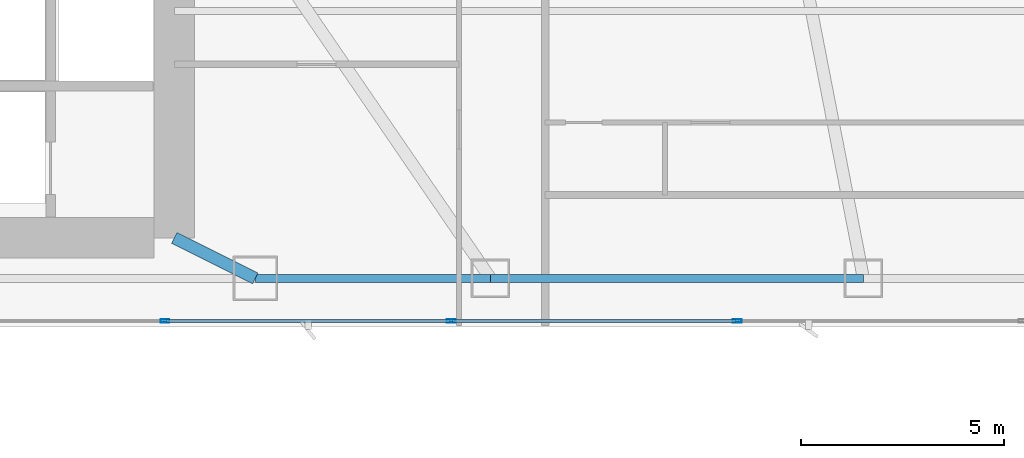
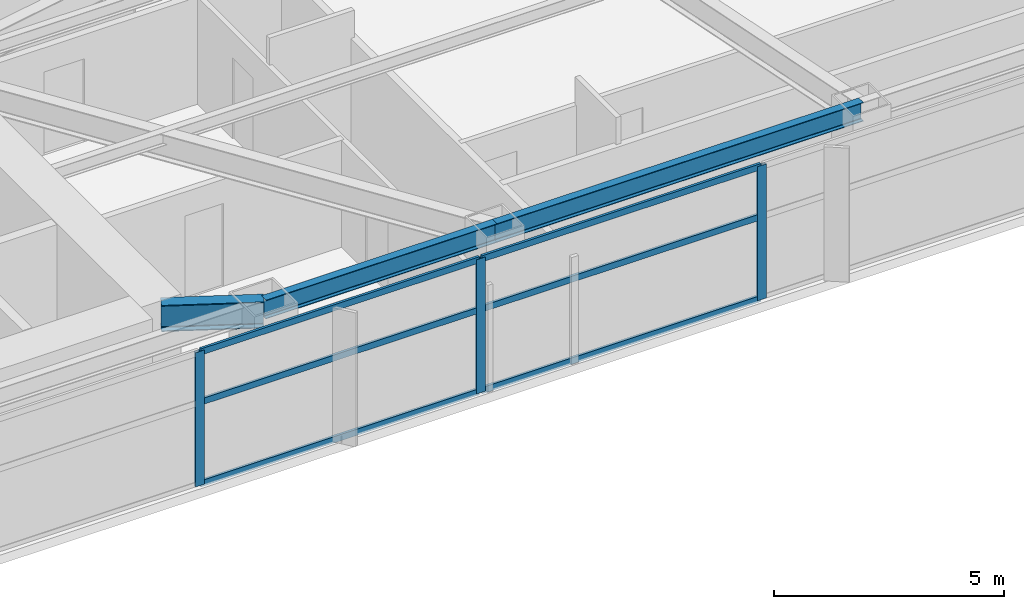
# One storey, part 12 of 29: 9 members, 3 beams, 1 element without a shape of its own.
"""IFC4 building model written with IfcOpenShell, lengths in metres."""

from ifc_helpers import new_model, si_unit, direction, frame, origin, origin_2d, place, context, subcontext, project, spatial, hollow_rectangle, i_section, extrude, material, layer, layer_set, material_profile, profile_set, type_object, element, aggregate, save


model = new_model("IFC4")

# Units and contexts
model_context = context("Model", 3, precision=1e-05, world=origin(), true_north=direction((0.0, 1.0)))
body_context = subcontext(model_context, "Body", "Model", "MODEL_VIEW")
ifc_project = project(units=[si_unit("LENGTHUNIT", "METRE"), si_unit("AREAUNIT", "SQUARE_METRE"), si_unit("VOLUMEUNIT", "CUBIC_METRE"), si_unit("PLANEANGLEUNIT", "RADIAN"), si_unit("MASSUNIT", "GRAM", prefix="KILO")], contexts=[model_context])

# Site, building, storey
site_placement = place(None, origin())
site = spatial("IfcSite", under=ifc_project, at=site_placement, CompositionType="ELEMENT")
building_placement = place(site_placement, origin())
building = spatial("IfcBuilding", under=site, at=building_placement, Name="Calvorn Quay Hotel", CompositionType="ELEMENT")
storey_placement = place(building_placement, frame((0.0, 0.0, 62.199951171875)))
storey = spatial("IfcBuildingStorey", under=building, at=storey_placement, Name="L14", CompositionType="ELEMENT", Elevation=62.199951171875)

# Beams
ifc_material_1 = material(Name="Steel Q390GJC", Category="steel")
ifc_material_profile_1 = material_profile(ifc_material_1, i_section(OverallWidth=0.300048828125, OverallDepth=0.699951171875, WebThickness=0.012939453125, FlangeThickness=0.02392578125, FilletRadius=0.02392578125, at=origin_2d()), Name="HN700x300x13x24")
ifc_profile_set_1 = profile_set([ifc_material_profile_1], Name="Steel Q390GJC")
beam_type_1 = type_object("IfcBeamType", Name="BM-GIRD-MAIN", PredefinedType="BEAM", material=ifc_profile_set_1)
beam_1_placement = place(storey_placement, frame((34.39990234375, 3.60009765625, 3.18994140625), z_axis=(-0.894427191, 0.4472135955, 0.0), x_axis=(-0.4472135955, -0.894427191, 0.0)))
element("IfcBeam", 1, at=beam_1_placement, inside=storey, type_object=beam_type_1, Name="Beam BG-L14-S3", PredefinedType="BEAM", context=body_context, shape_type="SweptSolid", body=[
    extrude(i_section(OverallWidth=0.300048828125, OverallDepth=0.699951171875, WebThickness=0.012939453125, FlangeThickness=0.02392578125, FilletRadius=0.02392578125, at=origin_2d()), origin(), (0.0, 0.0, 1.0), 2.236083984375),
])
ifc_material_2 = material(Name="Steel Q355B", Category="steel")
ifc_material_profile_2 = material_profile(ifc_material_2, i_section(OverallWidth=0.199951171875, OverallDepth=0.5, WebThickness=0.010009765625, FlangeThickness=0.01611328125, FilletRadius=0.01611328125, at=origin_2d()), Name="HN500x200x10x16")
ifc_profile_set_2 = profile_set([ifc_material_profile_2], Name="Steel Q355B")
beam_type_2 = type_object("IfcBeamType", Name="BM-SPANDREL-Z1", PredefinedType="SPANDREL", material=ifc_profile_set_2)
beam_2_placement = place(storey_placement, frame((34.39990234375, 3.60009765625, 3.2900390625), z_axis=(1.0, 0.0, 0.0), x_axis=(0.0, 1.0, 0.0)))
element("IfcBeam", 2, at=beam_2_placement, inside=storey, type_object=beam_type_2, Name="Beam BSP-L14-S4", PredefinedType="SPANDREL", context=body_context, shape_type="SweptSolid", body=[
    extrude(i_section(OverallWidth=0.199951171875, OverallDepth=0.5, WebThickness=0.010009765625, FlangeThickness=0.01611328125, FilletRadius=0.01611328125, at=origin_2d()), origin(), (0.0, 0.0, 1.0), 5.800048828125),
])
beam_3_placement = place(storey_placement, frame((40.199951171875, 3.60009765625, 3.2900390625), z_axis=(1.0, 0.0, 0.0), x_axis=(0.0, 1.0, 0.0)))
element("IfcBeam", 3, at=beam_3_placement, inside=storey, type_object=beam_type_2, Name="Beam BSP-L14-S5", PredefinedType="SPANDREL", context=body_context, shape_type="SweptSolid", body=[
    extrude(i_section(OverallWidth=0.199951171875, OverallDepth=0.5, WebThickness=0.010009765625, FlangeThickness=0.01611328125, FilletRadius=0.01611328125, at=origin_2d()), origin(), (0.0, 0.0, 1.0), 9.199951171875),
])

# Curtain wall, members
ifc_material_3 = material(Name="Pale Anodised Aluminium and Low-E Glass", Category="aluminium")
ifc_layer = layer(ifc_material_3, 0.219970703125)
ifc_layer_set = layer_set([ifc_layer], Name="CW-SYS-Z1")
curtain_wall_type = type_object("IfcCurtainWallType", Name="CW-SYS-Z1", PredefinedType="NOTDEFINED", material=ifc_layer_set)
curtain_wall_placement = place(storey_placement, origin())
curtain_wall = element("IfcCurtainWall", 4, at=curtain_wall_placement, inside=storey, type_object=curtain_wall_type, Name="Tower South Waterfront Curtain Wall (L14)", PredefinedType="NOTDEFINED")
ifc_material_4 = material(Name="Pale Anodised Aluminium 6063-T6", Category="aluminium")
ifc_material_profile_3 = material_profile(ifc_material_4, hollow_rectangle(XDim=0.074951171875, YDim=0.219970703125, WallThickness=0.00439453125, at=origin_2d()), Name="ALU-M220x75x4.5")
ifc_profile_set_3 = profile_set([ifc_material_profile_3], Name="Pale Anodised Aluminium 6063-T6")
member_type_1 = type_object("IfcMemberType", Name="CW-SYS-Z1-MUL", PredefinedType="MULLION", material=ifc_profile_set_3)
member_1_placement = place(storey_placement, frame((32.17138671875, 2.550048828125, 0.0), z_axis=(0.0, 0.0, 1.0), x_axis=(0.0, 1.0, 0.0)))
member_1 = element("IfcMember", 5, at=member_1_placement, type_object=member_type_1, Name="CW-L14-S mullion 4", PredefinedType="MULLION", context=body_context, shape_type="SweptSolid", body=[
    extrude(hollow_rectangle(XDim=0.074951171875, YDim=0.219970703125, WallThickness=0.00439453125, at=origin_2d()), origin(), (0.0, 0.0, 1.0), 3.56005859375),
])
member_2_placement = place(storey_placement, frame((39.228515625, 2.550048828125, 0.0), z_axis=(0.0, 0.0, 1.0), x_axis=(0.0, 1.0, 0.0)))
member_2 = element("IfcMember", 6, at=member_2_placement, type_object=member_type_1, Name="CW-L14-S mullion 5", PredefinedType="MULLION", context=body_context, shape_type="SweptSolid", body=[
    extrude(hollow_rectangle(XDim=0.074951171875, YDim=0.219970703125, WallThickness=0.00439453125, at=origin_2d()), origin(), (0.0, 0.0, 1.0), 3.56005859375),
])
member_3_placement = place(storey_placement, frame((46.28564453125, 2.550048828125, 0.0), z_axis=(0.0, 0.0, 1.0), x_axis=(0.0, 1.0, 0.0)))
member_3 = element("IfcMember", 7, at=member_3_placement, type_object=member_type_1, Name="CW-L14-S mullion 6", PredefinedType="MULLION", context=body_context, shape_type="SweptSolid", body=[
    extrude(hollow_rectangle(XDim=0.074951171875, YDim=0.219970703125, WallThickness=0.00439453125, at=origin_2d()), origin(), (0.0, 0.0, 1.0), 3.56005859375),
])
ifc_material_5 = material(Name="Pale Anodised Aluminium 6063-T6", Category="aluminium")
ifc_material_profile_4 = material_profile(ifc_material_5, hollow_rectangle(XDim=0.06494140625, YDim=0.1650390625, WallThickness=0.00341796875, at=origin_2d()), Name="ALU-T165x65x3.5")
ifc_profile_set_4 = profile_set([ifc_material_profile_4], Name="Pale Anodised Aluminium 6063-T6")
member_type_2 = type_object("IfcMemberType", Name="CW-SYS-Z1-TRN", PredefinedType="USERDEFINED", material=ifc_profile_set_4)
member_4_placement = place(storey_placement, frame((32.201416015625, 2.550048828125, 0.030029296875), z_axis=(1.0, 0.0, 0.0), x_axis=(0.0, 1.0, 0.0)))
member_4 = element("IfcMember", 8, at=member_4_placement, type_object=member_type_2, Name="CW-L14-S transom 4.1", ObjectType="TRANSOM", PredefinedType="USERDEFINED", context=body_context, shape_type="SweptSolid", body=[
    extrude(hollow_rectangle(XDim=0.06494140625, YDim=0.1650390625, WallThickness=0.00341796875, at=origin_2d()), origin(), (0.0, 0.0, 1.0), 6.9970703125),
])
member_5_placement = place(storey_placement, frame((32.201416015625, 2.550048828125, 2.199951171875), z_axis=(1.0, 0.0, 0.0), x_axis=(0.0, 1.0, 0.0)))
member_5 = element("IfcMember", 9, at=member_5_placement, type_object=member_type_2, Name="CW-L14-S transom 4.2", ObjectType="TRANSOM", PredefinedType="USERDEFINED", context=body_context, shape_type="SweptSolid", body=[
    extrude(hollow_rectangle(XDim=0.06494140625, YDim=0.1650390625, WallThickness=0.00341796875, at=origin_2d()), origin(), (0.0, 0.0, 1.0), 6.9970703125),
])
member_6_placement = place(storey_placement, frame((32.201416015625, 2.550048828125, 3.530029296875), z_axis=(1.0, 0.0, 0.0), x_axis=(0.0, 1.0, 0.0)))
member_6 = element("IfcMember", 10, at=member_6_placement, type_object=member_type_2, Name="CW-L14-S transom 4.3", ObjectType="TRANSOM", PredefinedType="USERDEFINED", context=body_context, shape_type="SweptSolid", body=[
    extrude(hollow_rectangle(XDim=0.06494140625, YDim=0.1650390625, WallThickness=0.00341796875, at=origin_2d()), origin(), (0.0, 0.0, 1.0), 6.9970703125),
])
member_7_placement = place(storey_placement, frame((39.258544921875, 2.550048828125, 0.030029296875), z_axis=(1.0, 0.0, 0.0), x_axis=(0.0, 1.0, 0.0)))
member_7 = element("IfcMember", 11, at=member_7_placement, type_object=member_type_2, Name="CW-L14-S transom 5.1", ObjectType="TRANSOM", PredefinedType="USERDEFINED", context=body_context, shape_type="SweptSolid", body=[
    extrude(hollow_rectangle(XDim=0.06494140625, YDim=0.1650390625, WallThickness=0.00341796875, at=origin_2d()), origin(), (0.0, 0.0, 1.0), 6.9970703125),
])
member_8_placement = place(storey_placement, frame((39.258544921875, 2.550048828125, 2.199951171875), z_axis=(1.0, 0.0, 0.0), x_axis=(0.0, 1.0, 0.0)))
member_8 = element("IfcMember", 12, at=member_8_placement, type_object=member_type_2, Name="CW-L14-S transom 5.2", ObjectType="TRANSOM", PredefinedType="USERDEFINED", context=body_context, shape_type="SweptSolid", body=[
    extrude(hollow_rectangle(XDim=0.06494140625, YDim=0.1650390625, WallThickness=0.00341796875, at=origin_2d()), origin(), (0.0, 0.0, 1.0), 6.9970703125),
])
member_9_placement = place(storey_placement, frame((39.258544921875, 2.550048828125, 3.530029296875), z_axis=(1.0, 0.0, 0.0), x_axis=(0.0, 1.0, 0.0)))
member_9 = element("IfcMember", 13, at=member_9_placement, type_object=member_type_2, Name="CW-L14-S transom 5.3", ObjectType="TRANSOM", PredefinedType="USERDEFINED", context=body_context, shape_type="SweptSolid", body=[
    extrude(hollow_rectangle(XDim=0.06494140625, YDim=0.1650390625, WallThickness=0.00341796875, at=origin_2d()), origin(), (0.0, 0.0, 1.0), 6.9970703125),
])
aggregate(curtain_wall, [member_1, member_2, member_3, member_4, member_5, member_6, member_7, member_8, member_9])

save(model, "model.ifc")
